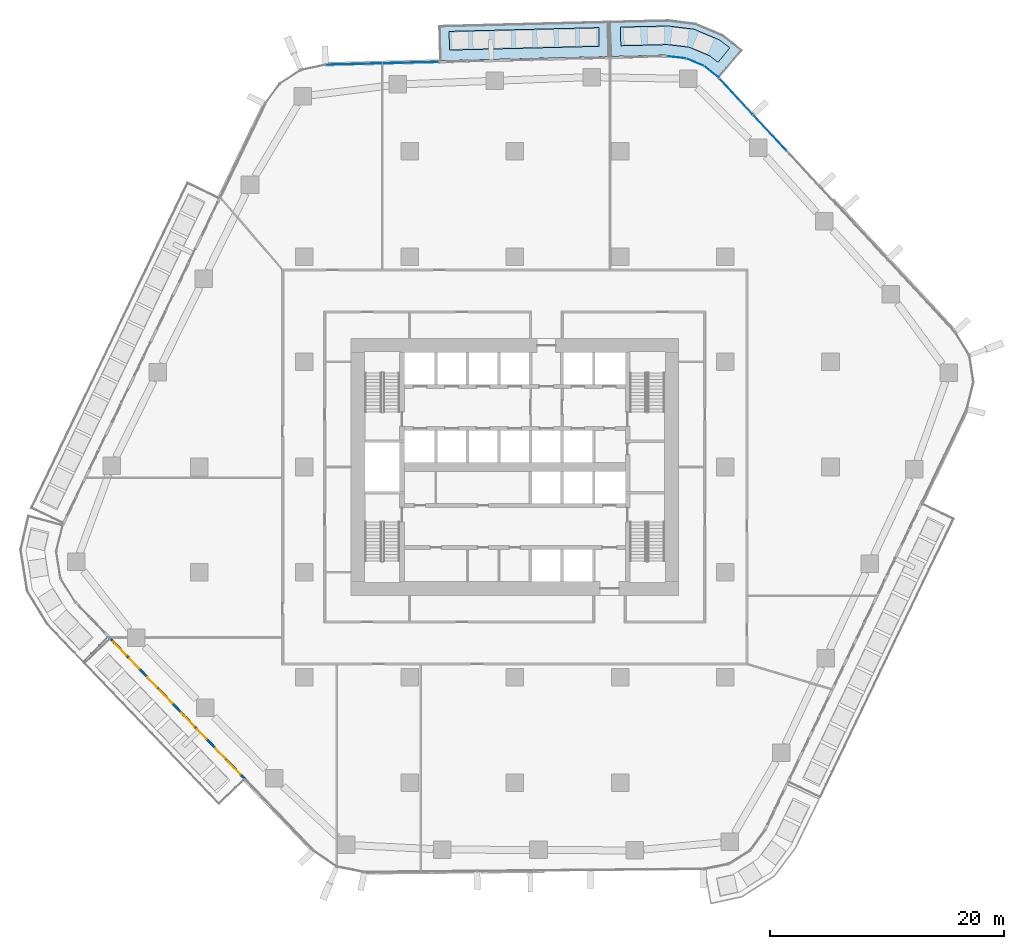
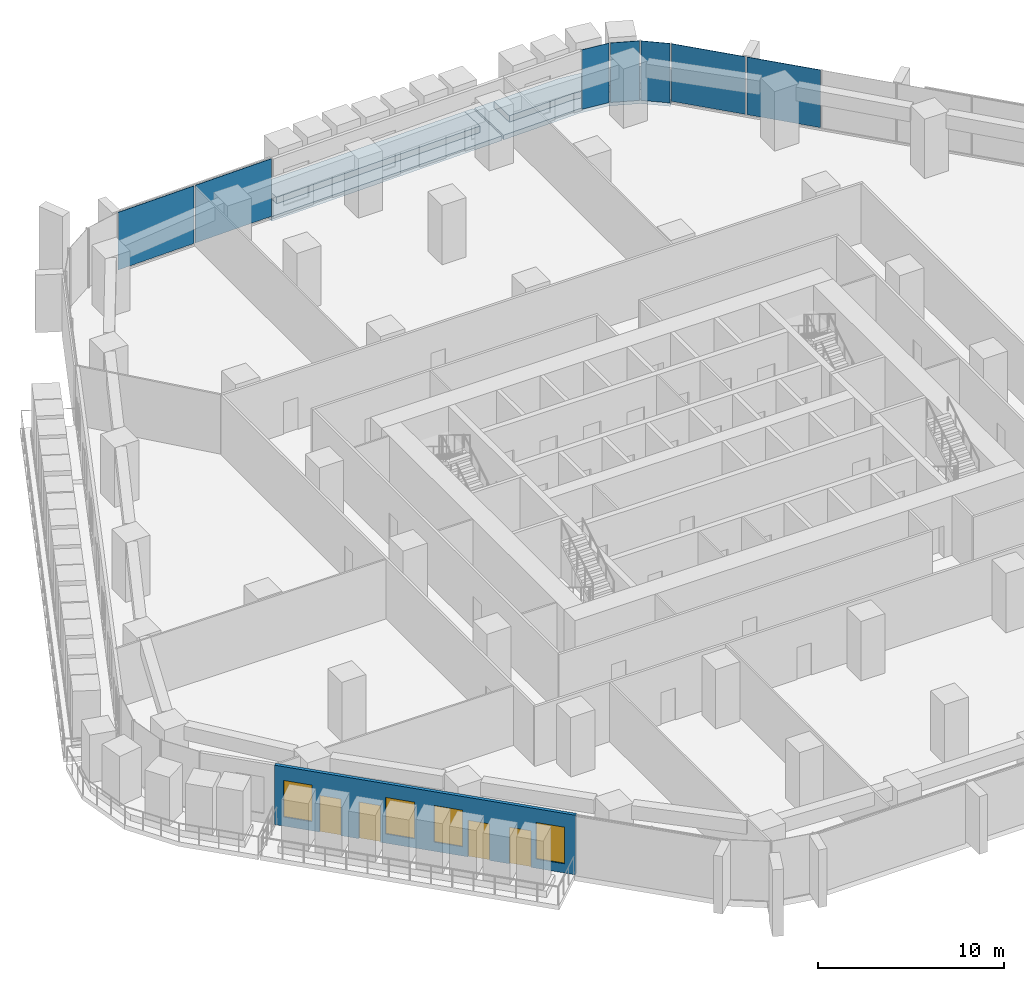
# One storey, part 11 of 23: 7 plates, 4 doors, 4 slabs, 4 windows, 1 wall, 8 openings, 3 elements without a shape of their own.
"""IFC4 building model written with IfcOpenShell, lengths in metres."""

from ifc_helpers import new_model, si_unit, direction, frame, frame_2d, origin, origin_2d, place, context, subcontext, project, spatial, polyline, rectangle, outline, extrude, material, layer, layer_set, type_object, element, fill, aggregate, save


model = new_model("IFC4")

# Units and contexts
model_context = context("Model", 3, precision=1e-05, world=origin(), true_north=direction((0.0, 1.0)))
body_context = subcontext(model_context, "Body", "Model", "MODEL_VIEW")
ifc_project = project(units=[si_unit("LENGTHUNIT", "METRE"), si_unit("AREAUNIT", "SQUARE_METRE"), si_unit("VOLUMEUNIT", "CUBIC_METRE"), si_unit("PLANEANGLEUNIT", "RADIAN"), si_unit("MASSUNIT", "GRAM", prefix="KILO")], contexts=[model_context])

# Site, building, storey
site_placement = place(None, origin())
site = spatial("IfcSite", under=ifc_project, at=site_placement, CompositionType="ELEMENT")
building_placement = place(site_placement, origin())
building = spatial("IfcBuilding", under=site, at=building_placement, Name="Dongbaek Canopy Tower", CompositionType="ELEMENT")
storey_placement = place(building_placement, frame((0.0, 0.0, 84.699951171875)))
storey = spatial("IfcBuildingStorey", under=building, at=storey_placement, Name="L17", CompositionType="ELEMENT", Elevation=84.699951171875)

# Slabs
ifc_material_1 = material(Name="Concrete C40/50", Category="concrete")
ifc_layer_1 = layer(ifc_material_1, 0.300048828125)
ifc_layer_set_1 = layer_set([ifc_layer_1], Name="Balcony slab 300")
slab_type_1 = type_object("IfcSlabType", Name="Balcony slab 300", PredefinedType="FLOOR", material=ifc_layer_set_1)
slab_1_placement = place(storey_placement, frame((0.0, 0.0, -0.300048828125)))
element("IfcSlab", 1, at=slab_1_placement, inside=storey, type_object=slab_type_1, Name="Balcony L17 1", PredefinedType="FLOOR", context=body_context, shape_type="SweptSolid", body=[
    extrude(outline(polyline([(8.093017578125, 35.10791015625), (-6.41015625, 34.743408203125), (-6.485595703125, 37.742431640625), (8.017578125, 38.10693359375), (8.093017578125, 35.10791015625)])), origin(), (0.0, 0.0, 1.0), 0.300048828125),
])
slab_2_placement = place(storey_placement, frame((0.0, 0.0, -0.300048828125)))
element("IfcSlab", 2, at=slab_2_placement, inside=storey, type_object=slab_type_1, Name="Balcony L17 5", PredefinedType="FLOOR", context=body_context, shape_type="SweptSolid", body=[
    extrude(outline(polyline([(17.51904296875, 33.34765625), (16.24560546875, 34.3798828125), (14.688720703125, 35.03564453125), (13.0107421875, 35.2314453125), (8.193115234375, 35.1103515625), (8.11767578125, 38.109375), (13.147216796875, 38.228271484375), (15.452392578125, 37.936767578125), (17.78759765625, 36.953369140625), (19.408203125, 35.678466796875), (17.51904296875, 33.34765625)])), origin(), (0.0, 0.0, 1.0), 0.300048828125),
])

# Curtain wall, plates
ifc_material_2 = material(Name="Aluminium 6063-T6 pale anodised", Category="aluminium")
ifc_layer_2 = layer(ifc_material_2, 0.199951171875)
ifc_layer_set_2 = layer_set([ifc_layer_2], Name="CW-1 unitised tower curtain wall")
curtain_wall_type = type_object("IfcCurtainWallType", Name="CW-1 unitised tower curtain wall", PredefinedType="NOTDEFINED", material=ifc_layer_set_2)
curtain_wall_1_placement = place(storey_placement, origin())
curtain_wall_1 = element("IfcCurtainWall", 3, at=curtain_wall_1_placement, inside=storey, type_object=curtain_wall_type, Name="CW-1 curtain wall F0.1", PredefinedType="NOTDEFINED")
ifc_material_3 = material(Name="Clear laminated glass", Category="glass")
ifc_layer_3 = layer(ifc_material_3, 0.028076171875)
ifc_layer_set_3 = layer_set([ifc_layer_3], Name="CW-1 glazed panel 28")
plate_type = type_object("IfcPlateType", Name="CW-1 glazed panel 28", PredefinedType="CURTAIN_PANEL", material=ifc_layer_set_3)
plate_1_placement = place(storey_placement, frame((21.805908203125, 28.59521484375, 0.1201171875), z_axis=(0.0, 0.0, 1.0), x_axis=(-0.680494849771, 0.732752863819, 0.0)))
plate_1 = element("IfcPlate", 4, at=plate_1_placement, type_object=plate_type, Name="CW-1 panel F0.1.6.1", PredefinedType="CURTAIN_PANEL", context=body_context, shape_type="SweptSolid", body=[
    extrude(rectangle(XDim=4.1494140625, YDim=0.028076171875, at=origin_2d()), origin(), (0.0, 0.0, 1.0), 3.780029296875),
])
plate_2_placement = place(storey_placement, frame((18.927490234375, 31.694580078125, 0.1201171875), z_axis=(0.0, 0.0, 1.0), x_axis=(-0.680494849771, 0.732752863819, 0.0)))
plate_2 = element("IfcPlate", 5, at=plate_2_placement, type_object=plate_type, Name="CW-1 panel F0.1.7.1", PredefinedType="CURTAIN_PANEL", context=body_context, shape_type="SweptSolid", body=[
    extrude(rectangle(XDim=4.142333984375, YDim=0.028076171875, at=origin_2d()), origin(), (0.0, 0.0, 1.0), 3.780029296875),
])
aggregate(curtain_wall_1, [plate_1, plate_2])

curtain_wall_2_placement = place(storey_placement, origin())
curtain_wall_2 = element("IfcCurtainWall", 6, at=curtain_wall_2_placement, inside=storey, type_object=curtain_wall_type, Name="CW-1 curtain wall K1.1", PredefinedType="NOTDEFINED")
plate_3_placement = place(storey_placement, frame((16.841552734375, 33.768310546875, 0.0), z_axis=(0.0, 0.0, 1.0), x_axis=(-0.776873111226, 0.629657183755, 0.0)))
plate_3 = element("IfcPlate", 7, at=plate_3_placement, type_object=plate_type, Name="CW-1 panel K1.1.1.1", PredefinedType="CURTAIN_PANEL", context=body_context, shape_type="SweptSolid", body=[
    extrude(rectangle(XDim=1.583984375, YDim=0.028076171875, at=origin_2d()), origin(), (0.0, 0.0, 1.0), 3.89990234375),
])
plate_4_placement = place(storey_placement, frame((15.42822265625, 34.61572265625, 0.0), z_axis=(0.0, 0.0, 1.0), x_axis=(-0.921598127864, 0.388145450467, 0.0)))
plate_4 = element("IfcPlate", 8, at=plate_4_placement, type_object=plate_type, Name="CW-1 panel K1.1.2.1", PredefinedType="CURTAIN_PANEL", context=body_context, shape_type="SweptSolid", body=[
    extrude(rectangle(XDim=1.576904296875, YDim=0.028076171875, at=origin_2d()), origin(), (0.0, 0.0, 1.0), 3.89990234375),
])
plate_5_placement = place(storey_placement, frame((13.834716796875, 35.03466796875, 0.0), z_axis=(0.0, 0.0, 1.0), x_axis=(-0.993265067779, 0.115864166718, 0.0)))
plate_5 = element("IfcPlate", 9, at=plate_5_placement, type_object=plate_type, Name="CW-1 panel K1.1.3.1", PredefinedType="CURTAIN_PANEL", context=body_context, shape_type="SweptSolid", body=[
    extrude(rectangle(XDim=1.583984375, YDim=0.028076171875, at=origin_2d()), origin(), (0.0, 0.0, 1.0), 3.89990234375),
])
aggregate(curtain_wall_2, [plate_3, plate_4, plate_5])

curtain_wall_3_placement = place(storey_placement, origin())
curtain_wall_3 = element("IfcCurtainWall", 10, at=curtain_wall_3_placement, inside=storey, type_object=curtain_wall_type, Name="CW-1 curtain wall F1.1", PredefinedType="NOTDEFINED")
plate_6_placement = place(storey_placement, frame((-8.8916015625, 34.5810546875, 0.1201171875), z_axis=(0.0, 0.0, 1.0), x_axis=(-0.999684465773, -0.02511909418, 0.0)))
plate_6 = element("IfcPlate", 11, at=plate_6_placement, type_object=plate_type, Name="CW-1 panel F1.1.1.1", PredefinedType="CURTAIN_PANEL", context=body_context, shape_type="SweptSolid", body=[
    extrude(rectangle(XDim=4.78515625, YDim=0.028076171875, at=origin_2d()), origin(), (0.0, 0.0, 1.0), 3.780029296875),
])
plate_7_placement = place(storey_placement, frame((-13.754638671875, 34.458740234375, 0.1201171875), z_axis=(0.0, 0.0, 1.0), x_axis=(-0.999684465773, -0.02511909418, 0.0)))
plate_7 = element("IfcPlate", 12, at=plate_7_placement, type_object=plate_type, Name="CW-1 panel F1.1.2.1", PredefinedType="CURTAIN_PANEL", context=body_context, shape_type="SweptSolid", body=[
    extrude(rectangle(XDim=4.776123046875, YDim=0.028076171875, at=origin_2d()), origin(), (0.0, 0.0, 1.0), 3.780029296875),
])
aggregate(curtain_wall_3, [plate_6, plate_7])

# Slabs
ifc_material_4 = material(Name="Reinforced concrete C40/50 planter box with soil", Category="concrete")
ifc_layer_4 = layer(ifc_material_4, 0.419921875)
ifc_layer_set_4 = layer_set([ifc_layer_4], Name="Terrace planter box 1600 x 420")
slab_type_2 = type_object("IfcSlabType", Name="Terrace planter box 1600 x 420", PredefinedType="USERDEFINED", material=ifc_layer_set_4)
slab_3_placement = place(storey_placement, origin())
element("IfcSlab", 13, at=slab_3_placement, inside=storey, type_object=slab_type_2, Name="Balcony planter L17 1", ObjectType="PLANTER", PredefinedType="USERDEFINED", context=body_context, shape_type="SweptSolid", body=[
    extrude(outline(polyline([(7.220947265625, 35.976318359375), (-5.582763671875, 35.654541015625), (-5.623046875, 37.25390625), (7.1806640625, 37.57568359375), (7.220947265625, 35.976318359375)])), origin(), (0.0, 0.0, 1.0), 0.420166015625),
])
slab_4_placement = place(storey_placement, origin())
element("IfcSlab", 14, at=slab_4_placement, inside=storey, type_object=slab_type_2, Name="Balcony planter L17 5", ObjectType="PLANTER", PredefinedType="USERDEFINED", context=body_context, shape_type="SweptSolid", body=[
    extrude(outline(polyline([(17.38037109375, 34.60595703125), (16.703125, 35.143310546875), (14.915283203125, 35.896484375), (13.05126953125, 36.12060546875), (9.0703125, 36.022705078125), (9.0302734375, 37.6220703125), (13.1240234375, 37.71875), (15.322509765625, 37.443603515625), (17.525390625, 36.515869140625), (18.3876953125, 35.848876953125), (17.38037109375, 34.60595703125)])), origin(), (0.0, 0.0, 1.0), 0.420166015625),
])

# Wall, openings, doors, windows
ifc_material_5 = material(Name="Aluminium window wall", Category="aluminium")
ifc_layer_5 = layer(ifc_material_5, 0.199951171875)
ifc_layer_set_5 = layer_set([ifc_layer_5], Name="Window wall 200")
wall_type = type_object("IfcWallType", Name="Window wall 200", PredefinedType="SOLIDWALL", material=ifc_layer_set_5)
wall_placement = place(storey_placement, frame((-34.672119140625, -14.587158203125, 0.0), z_axis=(0.0, 0.0, 1.0), x_axis=(0.691990084897, -0.721907003987, 0.0)))
wall = element("IfcWall", 15, at=wall_placement, inside=storey, type_object=wall_type, Name="Window wall L17 3", PredefinedType="SOLIDWALL", context=body_context, shape_type="SweptSolid", body=[
    extrude(rectangle(XDim=16.83544921875, YDim=0.199951171875, at=frame_2d((8.417724609375, 0.0))), origin(), (0.0, 0.0, 1.0), 3.900146484375),
])
opening_1_placement = place(wall_placement, frame((0.5, 0.0, 0.60009765625)))
opening_1 = element("IfcOpeningElement", 16, at=opening_1_placement, cuts=wall, Name="Opening W1", PredefinedType="OPENING", context=body_context, shape_type="SweptSolid", body=[
    extrude(rectangle(XDim=1.60009765625, YDim=2.39990234375, at=frame_2d((0.800048828125, 1.199951171875))), frame((0.0, 0.10986328125, 0.0), z_axis=(0.0, -1.0, 0.0), x_axis=(1.0, 0.0, 0.0)), (0.0, 0.0, 1.0), 0.219970703125),
])
opening_2_placement = place(wall_placement, frame((2.5, 0.0, 0.0)))
opening_2 = element("IfcOpeningElement", 17, at=opening_2_placement, cuts=wall, Name="Opening L17-B12", PredefinedType="OPENING", context=body_context, shape_type="SweptSolid", body=[
    extrude(rectangle(XDim=1.199951171875, YDim=2.39990234375, at=frame_2d((0.60009765625, 1.199951171875))), frame((0.0, 0.10986328125, 0.0), z_axis=(0.0, -1.0, 0.0), x_axis=(1.0, 0.0, 0.0)), (0.0, 0.0, 1.0), 0.219970703125),
])
opening_3_placement = place(wall_placement, frame((6.208740234375, 0.0, 0.60009765625)))
opening_3 = element("IfcOpeningElement", 18, at=opening_3_placement, cuts=wall, Name="Opening W1", PredefinedType="OPENING", context=body_context, shape_type="SweptSolid", body=[
    extrude(rectangle(XDim=1.60009765625, YDim=2.39990234375, at=frame_2d((0.800048828125, 1.199951171875))), frame((0.0, 0.10986328125, 0.0), z_axis=(0.0, -1.0, 0.0), x_axis=(1.0, 0.0, 0.0)), (0.0, 0.0, 1.0), 0.219970703125),
])
opening_4_placement = place(wall_placement, frame((4.708740234375, 0.0, 0.0)))
opening_4 = element("IfcOpeningElement", 19, at=opening_4_placement, cuts=wall, Name="Opening L17-B13", PredefinedType="OPENING", context=body_context, shape_type="SweptSolid", body=[
    extrude(rectangle(XDim=1.199951171875, YDim=2.39990234375, at=frame_2d((0.60009765625, 1.199951171875))), frame((0.0, 0.10986328125, 0.0), z_axis=(0.0, -1.0, 0.0), x_axis=(1.0, 0.0, 0.0)), (0.0, 0.0, 1.0), 0.219970703125),
])
opening_5_placement = place(wall_placement, frame((8.917724609375, 0.0, 0.60009765625)))
opening_5 = element("IfcOpeningElement", 20, at=opening_5_placement, cuts=wall, Name="Opening W1", PredefinedType="OPENING", context=body_context, shape_type="SweptSolid", body=[
    extrude(rectangle(XDim=1.60009765625, YDim=2.39990234375, at=frame_2d((0.800048828125, 1.199951171875))), frame((0.0, 0.10986328125, 0.0), z_axis=(0.0, -1.0, 0.0), x_axis=(1.0, 0.0, 0.0)), (0.0, 0.0, 1.0), 0.219970703125),
])
opening_6_placement = place(wall_placement, frame((10.817626953125, 0.0, 0.0)))
opening_6 = element("IfcOpeningElement", 21, at=opening_6_placement, cuts=wall, Name="Opening L17-B14", PredefinedType="OPENING", context=body_context, shape_type="SweptSolid", body=[
    extrude(rectangle(XDim=1.199951171875, YDim=2.39990234375, at=frame_2d((0.60009765625, 1.199951171875))), frame((0.0, 0.10986328125, 0.0), z_axis=(0.0, -1.0, 0.0), x_axis=(1.0, 0.0, 0.0)), (0.0, 0.0, 1.0), 0.219970703125),
])
opening_7_placement = place(wall_placement, frame((14.62646484375, 0.0, 0.60009765625)))
opening_7 = element("IfcOpeningElement", 22, at=opening_7_placement, cuts=wall, Name="Opening W1", PredefinedType="OPENING", context=body_context, shape_type="SweptSolid", body=[
    extrude(rectangle(XDim=1.60009765625, YDim=2.39990234375, at=frame_2d((0.800048828125, 1.199951171875))), frame((0.0, 0.10986328125, 0.0), z_axis=(0.0, -1.0, 0.0), x_axis=(1.0, 0.0, 0.0)), (0.0, 0.0, 1.0), 0.219970703125),
])
opening_8_placement = place(wall_placement, frame((13.12646484375, 0.0, 0.0)))
opening_8 = element("IfcOpeningElement", 23, at=opening_8_placement, cuts=wall, Name="Opening L17-B15", PredefinedType="OPENING", context=body_context, shape_type="SweptSolid", body=[
    extrude(rectangle(XDim=1.199951171875, YDim=2.39990234375, at=frame_2d((0.60009765625, 1.199951171875))), frame((0.0, 0.10986328125, 0.0), z_axis=(0.0, -1.0, 0.0), x_axis=(1.0, 0.0, 0.0)), (0.0, 0.0, 1.0), 0.219970703125),
])
ifc_material_6 = material(Name="Clear glazing in aluminium frame", Category="aluminium")
door_type = type_object("IfcDoorType", Name="Balcony door BD1 1200 x 2400", OperationType="SLIDING_TO_LEFT", PredefinedType="DOOR", material=ifc_material_6)
door_1_placement = place(opening_2_placement, origin())
door_1 = element("IfcDoor", 24, at=door_1_placement, inside=storey, type_object=door_type, Name="Balcony door L17-B12", OperationType="SLIDING_TO_LEFT", OverallHeight=2.39990234375, OverallWidth=1.199951171875, PredefinedType="DOOR", context=body_context, shape_type="SweptSolid", body=[
    extrude(rectangle(XDim=1.199951171875, YDim=2.39990234375, at=frame_2d((0.60009765625, 1.199951171875))), frame((0.0, 0.02490234375, 0.0), z_axis=(0.0, -1.0, 0.0), x_axis=(1.0, 0.0, 0.0)), (0.0, 0.0, 1.0), 0.050048828125),
])
fill(opening_2, door_1)
door_2_placement = place(opening_4_placement, origin())
door_2 = element("IfcDoor", 25, at=door_2_placement, inside=storey, type_object=door_type, Name="Balcony door L17-B13", OperationType="SLIDING_TO_LEFT", OverallHeight=2.39990234375, OverallWidth=1.199951171875, PredefinedType="DOOR", context=body_context, shape_type="SweptSolid", body=[
    extrude(rectangle(XDim=1.199951171875, YDim=2.39990234375, at=frame_2d((0.60009765625, 1.199951171875))), frame((0.0, 0.02490234375, 0.0), z_axis=(0.0, -1.0, 0.0), x_axis=(1.0, 0.0, 0.0)), (0.0, 0.0, 1.0), 0.050048828125),
])
fill(opening_4, door_2)
door_3_placement = place(opening_6_placement, origin())
door_3 = element("IfcDoor", 26, at=door_3_placement, inside=storey, type_object=door_type, Name="Balcony door L17-B14", OperationType="SLIDING_TO_LEFT", OverallHeight=2.39990234375, OverallWidth=1.199951171875, PredefinedType="DOOR", context=body_context, shape_type="SweptSolid", body=[
    extrude(rectangle(XDim=1.199951171875, YDim=2.39990234375, at=frame_2d((0.60009765625, 1.199951171875))), frame((0.0, 0.02490234375, 0.0), z_axis=(0.0, -1.0, 0.0), x_axis=(1.0, 0.0, 0.0)), (0.0, 0.0, 1.0), 0.050048828125),
])
fill(opening_6, door_3)
door_4_placement = place(opening_8_placement, origin())
door_4 = element("IfcDoor", 27, at=door_4_placement, inside=storey, type_object=door_type, Name="Balcony door L17-B15", OperationType="SLIDING_TO_LEFT", OverallHeight=2.39990234375, OverallWidth=1.199951171875, PredefinedType="DOOR", context=body_context, shape_type="SweptSolid", body=[
    extrude(rectangle(XDim=1.199951171875, YDim=2.39990234375, at=frame_2d((0.60009765625, 1.199951171875))), frame((0.0, 0.02490234375, 0.0), z_axis=(0.0, -1.0, 0.0), x_axis=(1.0, 0.0, 0.0)), (0.0, 0.0, 1.0), 0.050048828125),
])
fill(opening_8, door_4)
ifc_material_7 = material(Name="Clear glazing in aluminium frame", Category="aluminium")
window_type = type_object("IfcWindowType", Name="Window W1 1600 x 2400", PartitioningType="SINGLE_PANEL", PredefinedType="WINDOW", material=ifc_material_7)
window_1_placement = place(opening_1_placement, origin())
window_1 = element("IfcWindow", 28, at=window_1_placement, inside=storey, type_object=window_type, Name="Window L17 3.1", OverallHeight=2.39990234375, OverallWidth=1.60009765625, PartitioningType="SINGLE_PANEL", PredefinedType="WINDOW", context=body_context, shape_type="SweptSolid", body=[
    extrude(rectangle(XDim=1.60009765625, YDim=2.39990234375, at=frame_2d((0.800048828125, 1.199951171875))), frame((0.0, 0.030029296875, 0.0), z_axis=(0.0, -1.0, 0.0), x_axis=(1.0, 0.0, 0.0)), (0.0, 0.0, 1.0), 0.06005859375),
])
fill(opening_1, window_1)
window_2_placement = place(opening_3_placement, origin())
window_2 = element("IfcWindow", 29, at=window_2_placement, inside=storey, type_object=window_type, Name="Window L17 3.2", OverallHeight=2.39990234375, OverallWidth=1.60009765625, PartitioningType="SINGLE_PANEL", PredefinedType="WINDOW", context=body_context, shape_type="SweptSolid", body=[
    extrude(rectangle(XDim=1.60009765625, YDim=2.39990234375, at=frame_2d((0.800048828125, 1.199951171875))), frame((0.0, 0.030029296875, 0.0), z_axis=(0.0, -1.0, 0.0), x_axis=(1.0, 0.0, 0.0)), (0.0, 0.0, 1.0), 0.06005859375),
])
fill(opening_3, window_2)
window_3_placement = place(opening_5_placement, origin())
window_3 = element("IfcWindow", 30, at=window_3_placement, inside=storey, type_object=window_type, Name="Window L17 3.3", OverallHeight=2.39990234375, OverallWidth=1.60009765625, PartitioningType="SINGLE_PANEL", PredefinedType="WINDOW", context=body_context, shape_type="SweptSolid", body=[
    extrude(rectangle(XDim=1.60009765625, YDim=2.39990234375, at=frame_2d((0.800048828125, 1.199951171875))), frame((0.0, 0.030029296875, 0.0), z_axis=(0.0, -1.0, 0.0), x_axis=(1.0, 0.0, 0.0)), (0.0, 0.0, 1.0), 0.06005859375),
])
fill(opening_5, window_3)
window_4_placement = place(opening_7_placement, origin())
window_4 = element("IfcWindow", 31, at=window_4_placement, inside=storey, type_object=window_type, Name="Window L17 3.4", OverallHeight=2.39990234375, OverallWidth=1.60009765625, PartitioningType="SINGLE_PANEL", PredefinedType="WINDOW", context=body_context, shape_type="SweptSolid", body=[
    extrude(rectangle(XDim=1.60009765625, YDim=2.39990234375, at=frame_2d((0.800048828125, 1.199951171875))), frame((0.0, 0.030029296875, 0.0), z_axis=(0.0, -1.0, 0.0), x_axis=(1.0, 0.0, 0.0)), (0.0, 0.0, 1.0), 0.06005859375),
])
fill(opening_7, window_4)

save(model, "model.ifc")
